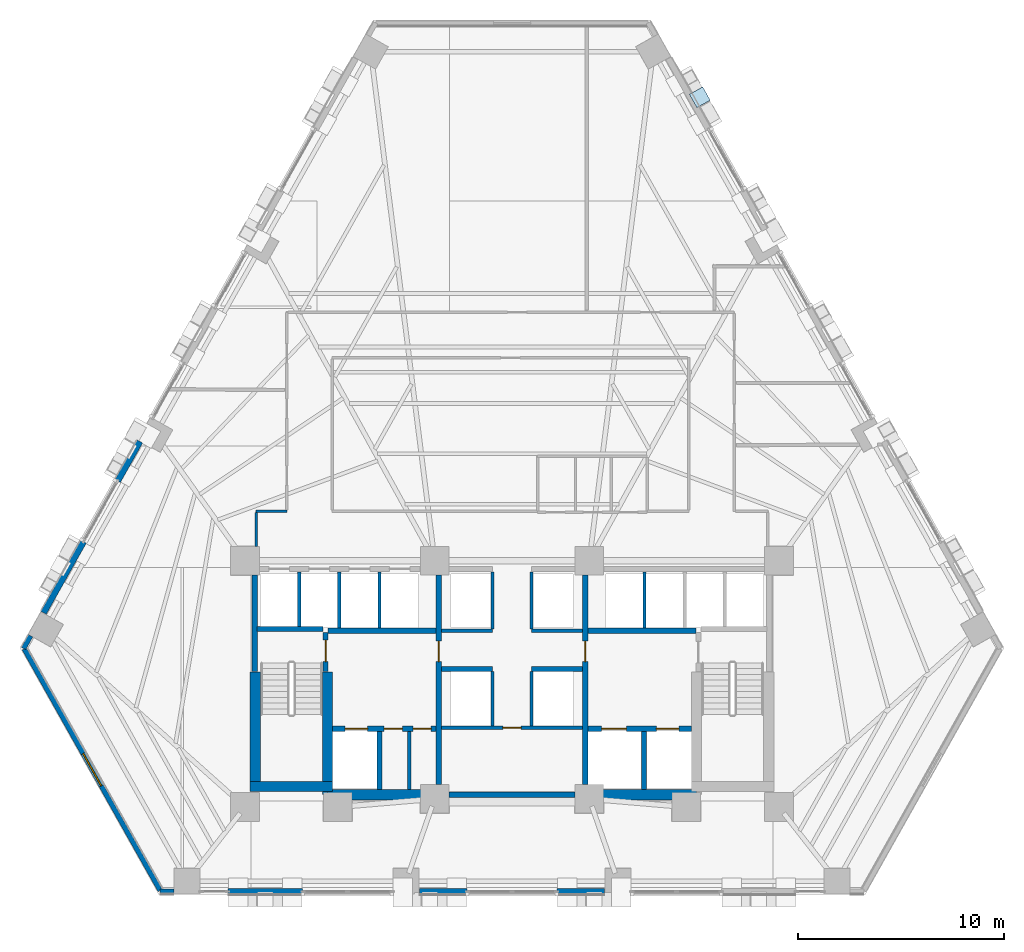
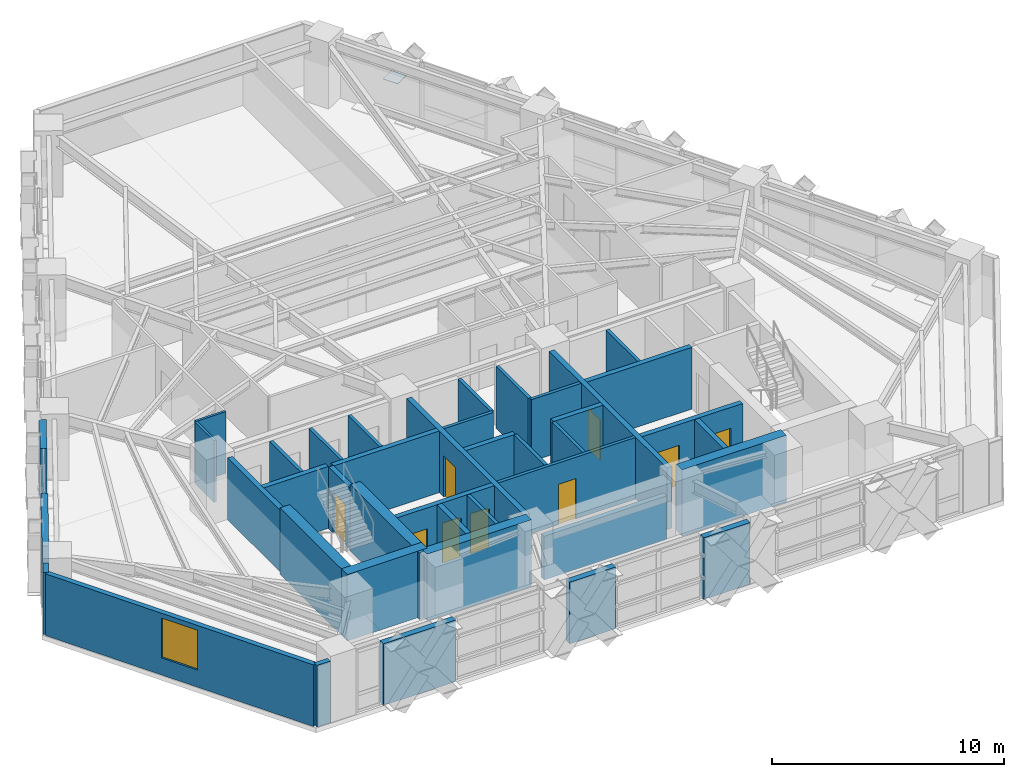
# One storey, part 7 of 13: 41 walls, 9 doors, 1 plate, 1 window, 10 openings.
"""IFC4 building model written with IfcOpenShell, lengths in metres."""

from ifc_helpers import new_model, si_unit, direction, frame, frame_2d, origin, origin_2d, place, context, subcontext, project, spatial, rectangle, extrude, material, layer, layer_set, type_object, element, fill, save


model = new_model("IFC4")

# Units and contexts
model_context = context("Model", 3, precision=1e-05, world=origin(), true_north=direction((0.0, 1.0)))
body_context = subcontext(model_context, "Body", "Model", "MODEL_VIEW")
ifc_project = project(units=[si_unit("LENGTHUNIT", "METRE"), si_unit("AREAUNIT", "SQUARE_METRE"), si_unit("VOLUMEUNIT", "CUBIC_METRE"), si_unit("PLANEANGLEUNIT", "RADIAN"), si_unit("MASSUNIT", "GRAM", prefix="KILO")], contexts=[model_context])

# Site, building, storey
site_placement = place(None, origin())
site = spatial("IfcSite", under=ifc_project, at=site_placement, CompositionType="ELEMENT")
building_placement = place(site_placement, origin())
building = spatial("IfcBuilding", under=site, at=building_placement, Name="Quenlor Broadcast Tower", CompositionType="ELEMENT")
storey_placement = place(building_placement, frame((0.0, 0.0, 41.60009765625)))
storey = spatial("IfcBuildingStorey", under=building, at=storey_placement, Name="L10", CompositionType="ELEMENT", Elevation=41.60009765625)

# Plate
ifc_material_1 = material(Name="Steel S355", Category="steel")
ifc_layer_1 = layer(ifc_material_1, 0.028076171875)
ifc_layer_set_1 = layer_set([ifc_layer_1], Name="Perimeter Lattice Node Steel S355 Cap Plate 740x740x28")
plate_type = type_object("IfcPlateType", Name="Perimeter Lattice Node Steel S355 Cap Plate 740x740x28", PredefinedType="USERDEFINED", material=ifc_layer_set_1)
plate_placement = place(storey_placement, frame((9.111083984375, 17.681640625, 1.61572265625), z_axis=(0.0, 0.0, 1.0), x_axis=(0.490295412055, -0.871556314255, 0.0)))
element("IfcPlate", 1, at=plate_placement, inside=storey, type_object=plate_type, Name="L10 Diamond Lattice Crossing Node NE-C1", ObjectType="CAP PLATE", PredefinedType="USERDEFINED", context=body_context, shape_type="SweptSolid", body=[
    extrude(rectangle(XDim=0.739990234375, YDim=0.739990234375, at=origin_2d()), origin(), (0.0, 0.0, 1.0), 0.028076171875),
])

# Walls
ifc_material_2 = material(Name="Concrete C65/80", Category="concrete")
ifc_layer_2 = layer(ifc_material_2, 0.5)
ifc_layer_set_2 = layer_set([ifc_layer_2], Name="Core Concrete C65/80 Shear Wall 500")
wall_type_1 = type_object("IfcWallType", Name="Core Concrete C65/80 Shear Wall 500", PredefinedType="SHEAR", material=ifc_layer_set_2)
wall_1_placement = place(storey_placement, frame((-12.699951171875, -15.75, 0.0), z_axis=(0.0, 0.0, 1.0), x_axis=(1.0, 0.0, 0.0)))
element("IfcWall", 2, at=wall_1_placement, inside=storey, type_object=wall_type_1, Name="L10 Core Shear Wall WS-W1", PredefinedType="SHEAR", context=body_context, shape_type="SweptSolid", body=[
    extrude(rectangle(XDim=4.0, YDim=0.5, at=frame_2d((2.0, 0.0))), origin(), (0.0, 0.0, 1.0), 3.5),
])
for number, where, z_axis, x_axis, name in (
    (3, (-8.949951171875, -16.14990234375, 0.0), (0.0, 0.0, 1.0), (1.0, 0.0, 0.0), "L10 Core Shear Wall WS-W2"),
    (4, (3.75, -16.14990234375, 0.0), (0.0, 0.0, 1.0), (1.0, 0.0, 0.0), "L10 Core Shear Wall WS-E1"),
):
    element("IfcWall", number, at=place(storey_placement, frame(where, z_axis=z_axis, x_axis=x_axis)), inside=storey, type_object=wall_type_1, Name=name, PredefinedType="SHEAR", context=body_context, shape_type="SweptSolid", body=[
        extrude(rectangle(XDim=5.199951171875, YDim=0.5, at=frame_2d((2.60009765625, 0.0))), origin(), (0.0, 0.0, 1.0), 3.5),
    ])
wall_2_placement = place(storey_placement, frame((-12.449951171875, -15.75, 0.0), z_axis=(0.0, 0.0, 1.0), x_axis=(0.0, 1.0, 0.0)))
element("IfcWall", 5, at=wall_2_placement, inside=storey, type_object=wall_type_1, Name="L10 Core Shear Wall WF-W", PredefinedType="SHEAR", context=body_context, shape_type="SweptSolid", body=[
    extrude(rectangle(XDim=5.550048828125, YDim=0.5, at=frame_2d((2.77490234375, 0.0))), origin(), (0.0, 0.0, 1.0), 3.5),
])
wall_3_placement = place(storey_placement, frame((-8.949951171875, -16.14990234375, 0.0), z_axis=(0.0, 0.0, 1.0), x_axis=(0.0, 1.0, 0.0)))
element("IfcWall", 6, at=wall_3_placement, inside=storey, type_object=wall_type_1, Name="L10 Core Shear Wall WI-W", PredefinedType="SHEAR", context=body_context, shape_type="SweptSolid", body=[
    extrude(rectangle(XDim=5.949951171875, YDim=0.5, at=frame_2d((2.97509765625, 0.0))), origin(), (0.0, 0.0, 1.0), 3.5),
])

# Wall, opening, door
ifc_material_3 = material(Name="Concrete C40/50", Category="concrete")
ifc_layer_3 = layer(ifc_material_3, 0.25)
ifc_layer_set_3 = layer_set([ifc_layer_3], Name="Fire Rated Concrete C40/50 Core Wall 250")
wall_type_2 = type_object("IfcWallType", Name="Fire Rated Concrete C40/50 Core Wall 250", PredefinedType="PARTITIONING", material=ifc_layer_set_3)
wall_4_placement = place(storey_placement, frame((-9.0400390625, -10.179931640625, 0.0), z_axis=(0.0, 0.0, 1.0), x_axis=(0.0, 1.0, 0.0)))
wall_4 = element("IfcWall", 7, at=wall_4_placement, inside=storey, type_object=wall_type_2, Name="L10 Interior Wall CW-ST1-DR", PredefinedType="PARTITIONING", context=body_context, shape_type="SweptSolid", body=[
    extrude(rectangle(XDim=1.89990234375, YDim=0.25, at=frame_2d((0.949951171875, 0.0))), origin(), (0.0, 0.0, 1.0), 3.25),
])
opening_1_placement = place(wall_4_placement, frame((0.47998046875, 0.0, 0.0)))
opening_1 = element("IfcOpeningElement", 8, at=opening_1_placement, cuts=wall_4, Name="Opening FD-1", PredefinedType="OPENING", context=body_context, shape_type="SweptSolid", body=[
    extrude(rectangle(XDim=1.050048828125, YDim=2.14990234375, at=frame_2d((0.52490234375, 1.074951171875))), frame((0.0, 0.135009765625, 0.0), z_axis=(0.0, -1.0, 0.0), x_axis=(1.0, 0.0, 0.0)), (0.0, 0.0, 1.0), 0.27001953125),
])
ifc_material_4 = material(Name="Fire Rated Steel Door Leaf", Category="steel")
door_type_1 = type_object("IfcDoorType", Name="Fire Isolated Stair Door 1050x2150", OperationType="NOTDEFINED", PredefinedType="DOOR", material=ifc_material_4)
door_1_placement = place(opening_1_placement, origin())
door_1 = element("IfcDoor", 9, at=door_1_placement, inside=storey, type_object=door_type_1, Name="L10 Door DR-ST1", OperationType="SINGLE_SWING_LEFT", OverallHeight=2.14990234375, OverallWidth=1.050048828125, PredefinedType="DOOR", context=body_context, shape_type="SweptSolid", body=[
    extrude(rectangle(XDim=1.050048828125, YDim=2.14990234375, at=frame_2d((0.52490234375, 1.074951171875))), frame((0.0, 0.02490234375, 0.0), z_axis=(0.0, -1.0, 0.0), x_axis=(1.0, 0.0, 0.0)), (0.0, 0.0, 1.0), 0.050048828125),
])
fill(opening_1, door_1)

# Walls
wall_5_placement = place(storey_placement, frame((-12.3798828125, -8.1201171875, 0.0), z_axis=(0.0, 0.0, 1.0), x_axis=(1.0, 0.0, 0.0)))
element("IfcWall", 10, at=wall_5_placement, inside=storey, type_object=wall_type_2, Name="L10 Interior Wall CW-ST1-N", PredefinedType="PARTITIONING", context=body_context, shape_type="SweptSolid", body=[
    extrude(rectangle(XDim=3.219970703125, YDim=0.25, at=frame_2d((1.60986328125, 0.0))), origin(), (0.0, 0.0, 1.0), 3.25),
])
wall_6_placement = place(storey_placement, frame((-12.47998046875, -10.179931640625, 0.0), z_axis=(0.0, 0.0, 1.0), x_axis=(0.0, 1.0, 0.0)))
element("IfcWall", 11, at=wall_6_placement, inside=storey, type_object=wall_type_2, Name="L10 Interior Wall CW-ST1-W2", PredefinedType="PARTITIONING", context=body_context, shape_type="SweptSolid", body=[
    extrude(rectangle(XDim=4.677978515625, YDim=0.25, at=frame_2d((2.3388671875, 0.0))), origin(), (0.0, 0.0, 1.0), 3.25),
])

# Wall, openings, doors
wall_7_placement = place(storey_placement, frame((-8.697998046875, -12.949951171875, 0.0), z_axis=(0.0, 0.0, 1.0), x_axis=(1.0, 0.0, 0.0)))
wall_7 = element("IfcWall", 12, at=wall_7_placement, inside=storey, type_object=wall_type_2, Name="L10 Interior Wall CW-FFW-S", PredefinedType="PARTITIONING", context=body_context, shape_type="SweptSolid", body=[
    extrude(rectangle(XDim=5.01806640625, YDim=0.25, at=frame_2d((2.509033203125, 0.0))), origin(), (0.0, 0.0, 1.0), 3.25),
])
opening_2_placement = place(wall_7_placement, frame((0.597900390625, 0.0, 0.0)))
opening_2 = element("IfcOpeningElement", 13, at=opening_2_placement, cuts=wall_7, Name="Opening LD-FFL-1", PredefinedType="OPENING", context=body_context, shape_type="SweptSolid", body=[
    extrude(rectangle(XDim=1.10009765625, YDim=2.14990234375, at=frame_2d((0.550048828125, 1.074951171875))), frame((0.0, 0.135009765625, 0.0), z_axis=(0.0, -1.0, 0.0), x_axis=(1.0, 0.0, 0.0)), (0.0, 0.0, 1.0), 0.27001953125),
])
opening_3_placement = place(wall_7_placement, frame((2.498046875, 0.0, 0.0)))
opening_3 = element("IfcOpeningElement", 14, at=opening_3_placement, cuts=wall_7, Name="Opening TD-1", PredefinedType="OPENING", context=body_context, shape_type="SweptSolid", body=[
    extrude(rectangle(XDim=0.8798828125, YDim=2.10009765625, at=frame_2d((0.43994140625, 1.050048828125))), frame((0.0, 0.135009765625, 0.0), z_axis=(0.0, -1.0, 0.0), x_axis=(1.0, 0.0, 0.0)), (0.0, 0.0, 1.0), 0.27001953125),
])
opening_4_placement = place(wall_7_placement, frame((3.89794921875, 0.0, 0.0)))
opening_4 = element("IfcOpeningElement", 15, at=opening_4_placement, cuts=wall_7, Name="Opening TD-1", PredefinedType="OPENING", context=body_context, shape_type="SweptSolid", body=[
    extrude(rectangle(XDim=0.8798828125, YDim=2.10009765625, at=frame_2d((0.43994140625, 1.050048828125))), frame((0.0, 0.135009765625, 0.0), z_axis=(0.0, -1.0, 0.0), x_axis=(1.0, 0.0, 0.0)), (0.0, 0.0, 1.0), 0.27001953125),
])
ifc_material_5 = material(Name="Brushed Stainless Steel", Category="steel")
door_type_2 = type_object("IfcDoorType", Name="Emergency Lift Sliding Landing Door 1100x2150", OperationType="NOTDEFINED", PredefinedType="DOOR", material=ifc_material_5)
door_2_placement = place(opening_2_placement, origin())
door_2 = element("IfcDoor", 16, at=door_2_placement, inside=storey, type_object=door_type_2, Name="L10 Door LD-FFL-1", OperationType="SLIDING_TO_LEFT", OverallHeight=2.14990234375, OverallWidth=1.10009765625, PredefinedType="DOOR", context=body_context, shape_type="SweptSolid", body=[
    extrude(rectangle(XDim=1.10009765625, YDim=2.14990234375, at=frame_2d((0.550048828125, 1.074951171875))), frame((0.0, 0.02490234375, 0.0), z_axis=(0.0, -1.0, 0.0), x_axis=(1.0, 0.0, 0.0)), (0.0, 0.0, 1.0), 0.050048828125),
])
fill(opening_2, door_2)
ifc_material_6 = material(Name="Fire Rated Steel Access Panel", Category="steel")
door_type_3 = type_object("IfcDoorType", Name="Riser Shaft Rated Access Trapdoor 880x2100", OperationType="NOTDEFINED", PredefinedType="TRAPDOOR", material=ifc_material_6)
door_3_placement = place(opening_3_placement, origin())
door_3 = element("IfcDoor", 17, at=door_3_placement, inside=storey, type_object=door_type_3, Name="L10 Door DR-ELR", OperationType="SINGLE_SWING_LEFT", OverallHeight=2.10009765625, OverallWidth=0.8798828125, PredefinedType="TRAPDOOR", context=body_context, shape_type="SweptSolid", body=[
    extrude(rectangle(XDim=0.8798828125, YDim=2.10009765625, at=frame_2d((0.43994140625, 1.050048828125))), frame((0.0, 0.02490234375, 0.0), z_axis=(0.0, -1.0, 0.0), x_axis=(1.0, 0.0, 0.0)), (0.0, 0.0, 1.0), 0.050048828125),
])
fill(opening_3, door_3)
door_4_placement = place(opening_4_placement, origin())
door_4 = element("IfcDoor", 18, at=door_4_placement, inside=storey, type_object=door_type_3, Name="L10 Door DR-CMR", OperationType="SINGLE_SWING_RIGHT", OverallHeight=2.10009765625, OverallWidth=0.8798828125, PredefinedType="TRAPDOOR", context=body_context, shape_type="SweptSolid", body=[
    extrude(rectangle(XDim=0.8798828125, YDim=2.10009765625, at=frame_2d((0.43994140625, 1.050048828125))), frame((0.0, 0.02490234375, 0.0), z_axis=(0.0, -1.0, 0.0), x_axis=(1.0, 0.0, 0.0)), (0.0, 0.0, 1.0), 0.050048828125),
])
fill(opening_4, door_4)

wall_8_placement = place(storey_placement, frame((3.679931640625, -12.949951171875, 0.0), z_axis=(0.0, 0.0, 1.0), x_axis=(1.0, 0.0, 0.0)))
wall_8 = element("IfcWall", 19, at=wall_8_placement, inside=storey, type_object=wall_type_2, Name="L10 Interior Wall CW-FFE-S", PredefinedType="PARTITIONING", context=body_context, shape_type="SweptSolid", body=[
    extrude(rectangle(XDim=5.01806640625, YDim=0.25, at=frame_2d((2.509033203125, 0.0))), origin(), (0.0, 0.0, 1.0), 3.25),
])
opening_5_placement = place(wall_8_placement, frame((3.320068359375, 0.0, 0.0)))
opening_5 = element("IfcOpeningElement", 20, at=opening_5_placement, cuts=wall_8, Name="Opening LD-FFL-2", PredefinedType="OPENING", context=body_context, shape_type="SweptSolid", body=[
    extrude(rectangle(XDim=1.10009765625, YDim=2.14990234375, at=frame_2d((0.550048828125, 1.074951171875))), frame((0.0, 0.135009765625, 0.0), z_axis=(0.0, -1.0, 0.0), x_axis=(1.0, 0.0, 0.0)), (0.0, 0.0, 1.0), 0.27001953125),
])
opening_6_placement = place(wall_8_placement, frame((0.669921875, 0.0, 0.0)))
opening_6 = element("IfcOpeningElement", 21, at=opening_6_placement, cuts=wall_8, Name="Opening LD-SVL-1", PredefinedType="OPENING", context=body_context, shape_type="SweptSolid", body=[
    extrude(rectangle(XDim=1.199951171875, YDim=2.14990234375, at=frame_2d((0.60009765625, 1.074951171875))), frame((0.0, 0.135009765625, 0.0), z_axis=(0.0, -1.0, 0.0), x_axis=(1.0, 0.0, 0.0)), (0.0, 0.0, 1.0), 0.27001953125),
])
door_5_placement = place(opening_5_placement, origin())
door_5 = element("IfcDoor", 22, at=door_5_placement, inside=storey, type_object=door_type_2, Name="L10 Door LD-FFL-2", OperationType="SLIDING_TO_RIGHT", OverallHeight=2.14990234375, OverallWidth=1.10009765625, PredefinedType="DOOR", context=body_context, shape_type="SweptSolid", body=[
    extrude(rectangle(XDim=1.10009765625, YDim=2.14990234375, at=frame_2d((0.550048828125, 1.074951171875))), frame((0.0, 0.02490234375, 0.0), z_axis=(0.0, -1.0, 0.0), x_axis=(1.0, 0.0, 0.0)), (0.0, 0.0, 1.0), 0.050048828125),
])
fill(opening_5, door_5)
ifc_material_7 = material(Name="Brushed Stainless Steel", Category="steel")
door_type_4 = type_object("IfcDoorType", Name="Goods Lift Sliding Landing Door 1200x2150", OperationType="NOTDEFINED", PredefinedType="DOOR", material=ifc_material_7)
door_6_placement = place(opening_6_placement, origin())
door_6 = element("IfcDoor", 23, at=door_6_placement, inside=storey, type_object=door_type_4, Name="L10 Door LD-SVL-1", OperationType="SLIDING_TO_LEFT", OverallHeight=2.14990234375, OverallWidth=1.199951171875, PredefinedType="DOOR", context=body_context, shape_type="SweptSolid", body=[
    extrude(rectangle(XDim=1.199951171875, YDim=2.14990234375, at=frame_2d((0.60009765625, 1.074951171875))), frame((0.0, 0.02490234375, 0.0), z_axis=(0.0, -1.0, 0.0), x_axis=(1.0, 0.0, 0.0)), (0.0, 0.0, 1.0), 0.050048828125),
])
fill(opening_6, door_6)

# Walls
for number, where, z_axis, x_axis, name in (
    (24, (-6.419921875, -15.89794921875, 0.0), (0.0, 0.0, 1.0), (0.0, 1.0, 0.0), "L10 Interior Wall CW-FF1-E"),
    (25, (6.39990234375, -15.89794921875, 0.0), (0.0, 0.0, 1.0), (0.0, 1.0, 0.0), "L10 Interior Wall CW-SV1-E"),
):
    element("IfcWall", number, at=place(storey_placement, frame(where, z_axis=z_axis, x_axis=x_axis)), inside=storey, type_object=wall_type_2, Name=name, PredefinedType="PARTITIONING", context=body_context, shape_type="SweptSolid", body=[
        extrude(rectangle(XDim=2.807861328125, YDim=0.25, at=frame_2d((1.40380859375, 0.0))), origin(), (0.0, 0.0, 1.0), 3.25),
    ])
for number, where, z_axis, x_axis, name in (
    (26, (-8.919921875, -8.199951171875, 0.0), (0.0, 0.0, 1.0), (1.0, 0.0, 0.0), "L10 Interior Wall CW-FFW-N"),
    (27, (3.679931640625, -8.199951171875, 0.0), (0.0, 0.0, 1.0), (1.0, 0.0, 0.0), "L10 Interior Wall CW-FFE-N"),
):
    element("IfcWall", number, at=place(storey_placement, frame(where, z_axis=z_axis, x_axis=x_axis)), inside=storey, type_object=wall_type_2, Name=name, PredefinedType="PARTITIONING", context=body_context, shape_type="SweptSolid", body=[
        extrude(rectangle(XDim=5.239990234375, YDim=0.25, at=frame_2d((2.6201171875, 0.0))), origin(), (0.0, 0.0, 1.0), 3.25),
    ])

# Wall, opening, door
wall_9_placement = place(storey_placement, frame((-3.550048828125, -15.64794921875, 0.0), z_axis=(0.0, 0.0, 1.0), x_axis=(0.0, 1.0, 0.0)))
wall_9 = element("IfcWall", 28, at=wall_9_placement, inside=storey, type_object=wall_type_2, Name="L10 Interior Wall CW-FFW-E", PredefinedType="PARTITIONING", context=body_context, shape_type="SweptSolid", body=[
    extrude(rectangle(XDim=10.14599609375, YDim=0.25, at=frame_2d((5.072998046875, 0.0))), origin(), (0.0, 0.0, 1.0), 3.25),
])
opening_7_placement = place(wall_9_placement, frame((5.947998046875, 0.0, 0.0)))
opening_7 = element("IfcOpeningElement", 29, at=opening_7_placement, cuts=wall_9, Name="Opening FD-2", PredefinedType="OPENING", context=body_context, shape_type="SweptSolid", body=[
    extrude(rectangle(XDim=1.0, YDim=2.14990234375, at=frame_2d((0.5, 1.074951171875))), frame((0.0, 0.135009765625, 0.0), z_axis=(0.0, -1.0, 0.0), x_axis=(1.0, 0.0, 0.0)), (0.0, 0.0, 1.0), 0.27001953125),
])
ifc_material_8 = material(Name="Fire Rated Glazed Steel Door", Category="steel")
door_type_5 = type_object("IfcDoorType", Name="Firefighting Lobby Smoke Door 1000x2150", OperationType="NOTDEFINED", PredefinedType="DOOR", material=ifc_material_8)
door_7_placement = place(opening_7_placement, origin())
door_7 = element("IfcDoor", 30, at=door_7_placement, inside=storey, type_object=door_type_5, Name="L10 Door DR-FFLW", OperationType="SINGLE_SWING_RIGHT", OverallHeight=2.14990234375, OverallWidth=1.0, PredefinedType="DOOR", context=body_context, shape_type="SweptSolid", body=[
    extrude(rectangle(XDim=1.0, YDim=2.14990234375, at=frame_2d((0.5, 1.074951171875))), frame((0.0, 0.02490234375, 0.0), z_axis=(0.0, -1.0, 0.0), x_axis=(1.0, 0.0, 0.0)), (0.0, 0.0, 1.0), 0.050048828125),
])
fill(opening_7, door_7)

wall_10_placement = place(storey_placement, frame((3.550048828125, -15.64794921875, 0.0), z_axis=(0.0, 0.0, 1.0), x_axis=(0.0, 1.0, 0.0)))
wall_10 = element("IfcWall", 31, at=wall_10_placement, inside=storey, type_object=wall_type_2, Name="L10 Interior Wall CW-FFE-W", PredefinedType="PARTITIONING", context=body_context, shape_type="SweptSolid", body=[
    extrude(rectangle(XDim=10.14599609375, YDim=0.25, at=frame_2d((5.072998046875, 0.0))), origin(), (0.0, 0.0, 1.0), 3.25),
])
opening_8_placement = place(wall_10_placement, frame((5.947998046875, 0.0, 0.0)))
opening_8 = element("IfcOpeningElement", 32, at=opening_8_placement, cuts=wall_10, Name="Opening FD-2", PredefinedType="OPENING", context=body_context, shape_type="SweptSolid", body=[
    extrude(rectangle(XDim=1.0, YDim=2.14990234375, at=frame_2d((0.5, 1.074951171875))), frame((0.0, 0.135009765625, 0.0), z_axis=(0.0, -1.0, 0.0), x_axis=(1.0, 0.0, 0.0)), (0.0, 0.0, 1.0), 0.27001953125),
])
door_8_placement = place(opening_8_placement, origin())
door_8 = element("IfcDoor", 33, at=door_8_placement, inside=storey, type_object=door_type_5, Name="L10 Door DR-FFLE", OperationType="SINGLE_SWING_LEFT", OverallHeight=2.14990234375, OverallWidth=1.0, PredefinedType="DOOR", context=body_context, shape_type="SweptSolid", body=[
    extrude(rectangle(XDim=1.0, YDim=2.14990234375, at=frame_2d((0.5, 1.074951171875))), frame((0.0, 0.02490234375, 0.0), z_axis=(0.0, -1.0, 0.0), x_axis=(1.0, 0.0, 0.0)), (0.0, 0.0, 1.0), 0.050048828125),
])
fill(opening_8, door_8)

# Walls
wall_11_placement = place(storey_placement, frame((-3.048095703125, -16.14990234375, 0.0), z_axis=(0.0, 0.0, 1.0), x_axis=(1.0, 0.0, 0.0)))
element("IfcWall", 34, at=wall_11_placement, inside=storey, type_object=wall_type_2, Name="L10 Interior Wall CW-MS-S", PredefinedType="PARTITIONING", context=body_context, shape_type="SweptSolid", body=[
    extrude(rectangle(XDim=6.09619140625, YDim=0.25, at=frame_2d((3.048095703125, 0.0))), origin(), (0.0, 0.0, 1.0), 2.2998046875),
])
for number, where, z_axis, x_axis, name in (
    (35, (-3.419921875, -10.050048828125, 0.0), (0.0, 0.0, 1.0), (1.0, 0.0, 0.0), "L10 Interior Wall CW-MS-N1"),
    (36, (0.949951171875, -10.050048828125, 0.0), (0.0, 0.0, 1.0), (1.0, 0.0, 0.0), "L10 Interior Wall CW-MS-N2"),
):
    element("IfcWall", number, at=place(storey_placement, frame(where, z_axis=z_axis, x_axis=x_axis)), inside=storey, type_object=wall_type_2, Name=name, PredefinedType="PARTITIONING", context=body_context, shape_type="SweptSolid", body=[
        extrude(rectangle(XDim=2.469970703125, YDim=0.25, at=frame_2d((1.23486328125, 0.0))), origin(), (0.0, 0.0, 1.0), 3.25),
    ])
ifc_material_9 = material(Name="Gypsum Fireboard Partition", Category="other")
ifc_layer_4 = layer(ifc_material_9, 0.159912109375)
ifc_layer_set_4 = layer_set([ifc_layer_4], Name="Fire Rated Shaft and Corridor Partition 160")
wall_type_3 = type_object("IfcWallType", Name="Fire Rated Shaft and Corridor Partition 160", PredefinedType="PARTITIONING", material=ifc_layer_set_4)
wall_12_placement = place(storey_placement, frame((-4.97998046875, -15.89794921875, 0.0), z_axis=(0.0, 0.0, 1.0), x_axis=(0.0, 1.0, 0.0)))
element("IfcWall", 37, at=wall_12_placement, inside=storey, type_object=wall_type_3, Name="L10 Interior Wall CW-ELR-E", PredefinedType="PARTITIONING", context=body_context, shape_type="SweptSolid", body=[
    extrude(rectangle(XDim=2.807861328125, YDim=0.159912109375, at=frame_2d((1.40380859375, 0.0))), origin(), (0.0, 0.0, 1.0), 3.25),
])
wall_13_placement = place(storey_placement, frame((-10.324951171875, -7.992919921875, 0.0), z_axis=(0.0, 0.0, 1.0), x_axis=(0.0, 1.0, 0.0)))
element("IfcWall", 38, at=wall_13_placement, inside=storey, type_object=wall_type_3, Name="L10 Interior Wall CW-PLL-D1", PredefinedType="PARTITIONING", context=body_context, shape_type="SweptSolid", body=[
    extrude(rectangle(XDim=2.65283203125, YDim=0.159912109375, at=frame_2d((1.326416015625, 0.0))), origin(), (0.0, 0.0, 1.0), 3.25),
])
for number, where, z_axis, x_axis, name in (
    (39, (-8.375, -8.072998046875, 0.0), (0.0, 0.0, 1.0), (0.0, 1.0, 0.0), "L10 Interior Wall CW-PLL-D2"),
    (40, (-6.425048828125, -8.072998046875, 0.0), (0.0, 0.0, 1.0), (0.0, 1.0, 0.0), "L10 Interior Wall CW-PLL-D3"),
    (41, (6.425048828125, -8.072998046875, 0.0), (0.0, 0.0, 1.0), (0.0, 1.0, 0.0), "L10 Interior Wall CW-PLH-D1"),
):
    element("IfcWall", number, at=place(storey_placement, frame(where, z_axis=z_axis, x_axis=x_axis)), inside=storey, type_object=wall_type_3, Name=name, PredefinedType="PARTITIONING", context=body_context, shape_type="SweptSolid", body=[
        extrude(rectangle(XDim=2.73291015625, YDim=0.159912109375, at=frame_2d((1.366455078125, 0.0))), origin(), (0.0, 0.0, 1.0), 3.25),
    ])
for number, where, z_axis, x_axis, name in (
    (42, (-0.949951171875, -8.1201171875, 0.0), (0.0, 0.0, 1.0), (0.0, 1.0, 0.0), "L10 Interior Wall CW-CCRP-W"),
    (43, (0.949951171875, -8.1201171875, 0.0), (0.0, 0.0, 1.0), (0.0, 1.0, 0.0), "L10 Interior Wall CW-CCRP-E"),
):
    element("IfcWall", number, at=place(storey_placement, frame(where, z_axis=z_axis, x_axis=x_axis)), inside=storey, type_object=wall_type_3, Name=name, PredefinedType="PARTITIONING", context=body_context, shape_type="SweptSolid", body=[
        extrude(rectangle(XDim=2.780029296875, YDim=0.159912109375, at=frame_2d((1.39013671875, 0.0))), origin(), (0.0, 0.0, 1.0), 3.25),
    ])
for number, where, z_axis, x_axis, name in (
    (44, (-3.419921875, -8.199951171875, 0.0), (0.0, 0.0, 1.0), (1.0, 0.0, 0.0), "L10 Interior Wall CW-M-BACK1"),
    (45, (0.949951171875, -8.199951171875, 0.0), (0.0, 0.0, 1.0), (1.0, 0.0, 0.0), "L10 Interior Wall CW-M-BACK2"),
):
    element("IfcWall", number, at=place(storey_placement, frame(where, z_axis=z_axis, x_axis=x_axis)), inside=storey, type_object=wall_type_3, Name=name, PredefinedType="PARTITIONING", context=body_context, shape_type="SweptSolid", body=[
        extrude(rectangle(XDim=2.469970703125, YDim=0.159912109375, at=frame_2d((1.23486328125, 0.0))), origin(), (0.0, 0.0, 1.0), 3.25),
    ])

# Wall, opening, door
wall_14_placement = place(storey_placement, frame((-3.419921875, -12.89990234375, 0.0), z_axis=(0.0, 0.0, 1.0), x_axis=(1.0, 0.0, 0.0)))
wall_14 = element("IfcWall", 46, at=wall_14_placement, inside=storey, type_object=wall_type_3, Name="L10 Interior Wall CW-MS-B", PredefinedType="PARTITIONING", context=body_context, shape_type="SweptSolid", body=[
    extrude(rectangle(XDim=6.83984375, YDim=0.159912109375, at=frame_2d((3.419921875, 0.0))), origin(), (0.0, 0.0, 1.0), 3.25),
])
opening_9_placement = place(wall_14_placement, frame((2.97998046875, 0.0, 0.0)))
opening_9 = element("IfcOpeningElement", 47, at=opening_9_placement, cuts=wall_14, Name="Opening ID-4", PredefinedType="OPENING", context=body_context, shape_type="SweptSolid", body=[
    extrude(rectangle(XDim=0.8798828125, YDim=2.1201171875, at=frame_2d((0.43994140625, 1.06005859375))), frame((0.0, 0.08984375, 0.0), z_axis=(0.0, -1.0, 0.0), x_axis=(1.0, 0.0, 0.0)), (0.0, 0.0, 1.0), 0.179931640625),
])
ifc_material_10 = material(Name="Solid Core Timber Oak", Category="wood")
door_type_6 = type_object("IfcDoorType", Name="Service Closet Timber Door 880x2120", OperationType="NOTDEFINED", PredefinedType="DOOR", material=ifc_material_10)
door_9_placement = place(opening_9_placement, origin())
door_9 = element("IfcDoor", 48, at=door_9_placement, inside=storey, type_object=door_type_6, Name="L10 Door DR-CSV0", OperationType="SINGLE_SWING_LEFT", OverallHeight=2.1201171875, OverallWidth=0.8798828125, PredefinedType="DOOR", context=body_context, shape_type="SweptSolid", body=[
    extrude(rectangle(XDim=0.8798828125, YDim=2.1201171875, at=frame_2d((0.43994140625, 1.06005859375))), frame((0.0, 0.02490234375, 0.0), z_axis=(0.0, -1.0, 0.0), x_axis=(1.0, 0.0, 0.0)), (0.0, 0.0, 1.0), 0.050048828125),
])
fill(opening_9, door_9)

# Walls
for number, where, z_axis, x_axis, name in (
    (49, (-0.949951171875, -12.818115234375, 0.0), (0.0, 0.0, 1.0), (0.0, 1.0, 0.0), "L10 Interior Wall CW-MS-W"),
    (50, (0.949951171875, -12.818115234375, 0.0), (0.0, 0.0, 1.0), (0.0, 1.0, 0.0), "L10 Interior Wall CW-MS-E"),
):
    element("IfcWall", number, at=place(storey_placement, frame(where, z_axis=z_axis, x_axis=x_axis)), inside=storey, type_object=wall_type_3, Name=name, PredefinedType="PARTITIONING", context=body_context, shape_type="SweptSolid", body=[
        extrude(rectangle(XDim=2.63818359375, YDim=0.159912109375, at=frame_2d((1.319091796875, 0.0))), origin(), (0.0, 0.0, 1.0), 3.25),
    ])
ifc_material_11 = material(Name="Gypsum Plasterboard Partition", Category="other")
ifc_layer_5 = layer(ifc_material_11, 0.1201171875)
ifc_layer_set_5 = layer_set([ifc_layer_5], Name="Standard Office Partition 120")
wall_type_4 = type_object("IfcWallType", Name="Standard Office Partition 120", PredefinedType="PARTITIONING", material=ifc_layer_set_5)
wall_15_placement = place(storey_placement, frame((-12.409912109375, -2.39990234375, 0.0), z_axis=(0.0, 0.0, 1.0), x_axis=(1.0, 0.0, 0.0)))
element("IfcWall", 51, at=wall_15_placement, inside=storey, type_object=wall_type_4, Name="L10 Interior Wall PW-CR-01", PredefinedType="PARTITIONING", context=body_context, shape_type="SweptSolid", body=[
    extrude(rectangle(XDim=1.48486328125, YDim=0.1201171875, at=frame_2d((0.742431640625, 0.0))), origin(), (0.0, 0.0, 1.0), 3.25),
])
wall_16_placement = place(storey_placement, frame((-12.409912109375, -4.097900390625, 0.0), z_axis=(0.0, 0.0, 1.0), x_axis=(0.0, 1.0, 0.0)))
element("IfcWall", 52, at=wall_16_placement, inside=storey, type_object=wall_type_4, Name="L10 Interior Wall PW-CR-07", PredefinedType="PARTITIONING", context=body_context, shape_type="SweptSolid", body=[
    extrude(rectangle(XDim=1.635986328125, YDim=0.1201171875, at=frame_2d((0.81787109375, 0.0))), origin(), (0.0, 0.0, 1.0), 3.25),
])
ifc_material_12 = material(Name="Precast concrete C40/50", Category="concrete")
ifc_layer_6 = layer(ifc_material_12, 0.239990234375)
ifc_layer_set_6 = layer_set([ifc_layer_6], Name="Terrace Threshold Precast Concrete C40/50 Wall 240")
wall_type_5 = type_object("IfcWallType", Name="Terrace Threshold Precast Concrete C40/50 Wall 240", PredefinedType="STANDARD", material=ifc_layer_set_6)
wall_17_placement = place(storey_placement, frame((-16.39501953125, -20.840087890625, 0.0), z_axis=(0.0, 0.0, 1.0), x_axis=(-1.0, 0.0, 0.0)))
element("IfcWall", 53, at=wall_17_placement, inside=storey, type_object=wall_type_5, Name="L10 Exterior Wall L10-SHD-SS1", PredefinedType="STANDARD", context=body_context, shape_type="SweptSolid", body=[
    extrude(rectangle(XDim=0.680908203125, YDim=0.239990234375, at=frame_2d((0.34033203125, 0.0))), origin(), (0.0, 0.0, 1.0), 3.25),
])
wall_18_placement = place(storey_placement, frame((-23.69921875, -9.05810546875, 0.0), z_axis=(0.0, 0.0, 1.0), x_axis=(0.490523074758, 0.871428203084, 0.0)))
element("IfcWall", 54, at=wall_18_placement, inside=storey, type_object=wall_type_5, Name="L10 Exterior Wall L10-SHD-NWS0", PredefinedType="STANDARD", context=body_context, shape_type="SweptSolid", body=[
    extrude(rectangle(XDim=0.708251953125, YDim=0.239990234375, at=frame_2d((0.35400390625, 0.0))), origin(), (0.0, 0.0, 1.0), 3.25),
])

# Wall, opening, window
wall_19_placement = place(storey_placement, frame((-23.659912109375, -9.07568359375, 0.0), z_axis=(0.0, 0.0, 1.0), x_axis=(0.490268135177, -0.871571658345, 0.0)))
wall_19 = element("IfcWall", 55, at=wall_19_placement, inside=storey, type_object=wall_type_5, Name="L10 Exterior Wall L10-CNR-04", PredefinedType="STANDARD", context=body_context, shape_type="SweptSolid", body=[
    extrude(rectangle(XDim=13.44775390625, YDim=0.239990234375, at=frame_2d((6.723876953125, 0.0))), origin(), (0.0, 0.0, 1.0), 3.25),
])
opening_10_placement = place(wall_19_placement, frame((5.823974609375, 0.0, 0.89990234375)))
opening_10 = element("IfcOpeningElement", 56, at=opening_10_placement, cuts=wall_19, Name="Opening WN-1", PredefinedType="OPENING", context=body_context, shape_type="SweptSolid", body=[
    extrude(rectangle(XDim=1.800048828125, YDim=2.10009765625, at=frame_2d((0.89990234375, 1.050048828125))), frame((0.0, 0.1298828125, 0.0), z_axis=(0.0, -1.0, 0.0), x_axis=(1.0, 0.0, 0.0)), (0.0, 0.0, 1.0), 0.260009765625),
])
ifc_material_13 = material(Name="Thermally Broken Aluminium and Low-E Glass", Category="aluminium")
window_type = type_object("IfcWindowType", Name="Tower Acoustic Vision Window 1800x2100", PartitioningType="SINGLE_PANEL", PredefinedType="WINDOW", material=ifc_material_13)
window_placement = place(opening_10_placement, origin())
window = element("IfcWindow", 57, at=window_placement, inside=storey, type_object=window_type, Name="L10 Corner Chamfer Window 4", OverallHeight=2.10009765625, OverallWidth=1.800048828125, PartitioningType="SINGLE_PANEL", PredefinedType="WINDOW", context=body_context, shape_type="SweptSolid", body=[
    extrude(rectangle(XDim=1.800048828125, YDim=2.10009765625, at=frame_2d((0.89990234375, 1.050048828125))), frame((0.0, 0.030029296875, 0.0), z_axis=(0.0, -1.0, 0.0), x_axis=(1.0, 0.0, 0.0)), (0.0, 0.0, 1.0), 0.06005859375),
])
fill(opening_10, window)

# Walls
ifc_material_14 = material(Name="Precast concrete C40/50", Category="concrete")
ifc_layer_7 = layer(ifc_material_14, 0.300048828125)
ifc_layer_set_7 = layer_set([ifc_layer_7], Name="Terracotta Precast Concrete C40/50 Spandrel Wall 300")
wall_type_6 = type_object("IfcWallType", Name="Terracotta Precast Concrete C40/50 Spandrel Wall 300", PredefinedType="STANDARD", material=ifc_layer_set_7)
wall_20_placement = place(storey_placement, frame((-10.1748046875, -20.840087890625, 0.0), z_axis=(0.0, 0.0, 1.0), x_axis=(-1.0, 0.0, 0.0)))
element("IfcWall", 58, at=wall_20_placement, inside=storey, type_object=wall_type_6, Name="L10 Exterior Wall L10-SC-SP1", PredefinedType="STANDARD", context=body_context, shape_type="SweptSolid", body=[
    extrude(rectangle(XDim=3.592041015625, YDim=0.300048828125, at=frame_2d((1.7958984375, 0.0))), origin(), (0.0, 0.0, 1.0), 3.25),
])
for number, where, z_axis, x_axis, name in (
    (59, (4.495849609375, -20.840087890625, 0.0), (0.0, 0.0, 1.0), (-1.0, 0.0, 0.0), "L10 Exterior Wall L10-S-SP1"),
    (60, (-2.194091796875, -20.840087890625, 0.0), (0.0, 0.0, 1.0), (-1.0, 0.0, 0.0), "L10 Exterior Wall L10-S-SP2"),
):
    element("IfcWall", number, at=place(storey_placement, frame(where, z_axis=z_axis, x_axis=x_axis)), inside=storey, type_object=wall_type_6, Name=name, PredefinedType="STANDARD", context=body_context, shape_type="SweptSolid", body=[
        extrude(rectangle(XDim=2.3017578125, YDim=0.300048828125, at=frame_2d((1.15087890625, 0.0))), origin(), (0.0, 0.0, 1.0), 3.25),
    ])
wall_21_placement = place(storey_placement, frame((-22.724365234375, -7.3251953125, 0.0), z_axis=(0.0, 0.0, 1.0), x_axis=(0.490267098362, 0.871572241563, 0.0)))
element("IfcWall", 61, at=wall_21_placement, inside=storey, type_object=wall_type_6, Name="L10 Exterior Wall L10-NWA-SP1", PredefinedType="STANDARD", context=body_context, shape_type="SweptSolid", body=[
    extrude(rectangle(XDim=3.956787109375, YDim=0.300048828125, at=frame_2d((1.978515625, 0.0))), origin(), (0.0, 0.0, 1.0), 3.25),
])
wall_22_placement = place(storey_placement, frame((-19.126953125, -0.9296875, 0.0), z_axis=(0.0, 0.0, 1.0), x_axis=(0.490277063651, 0.871566635925, 0.0)))
element("IfcWall", 62, at=wall_22_placement, inside=storey, type_object=wall_type_6, Name="L10 Exterior Wall L10-NWA-SP2", PredefinedType="STANDARD", context=body_context, shape_type="SweptSolid", body=[
    extrude(rectangle(XDim=2.197509765625, YDim=0.300048828125, at=frame_2d((1.0986328125, 0.0))), origin(), (0.0, 0.0, 1.0), 3.25),
])

save(model, "model.ifc")
